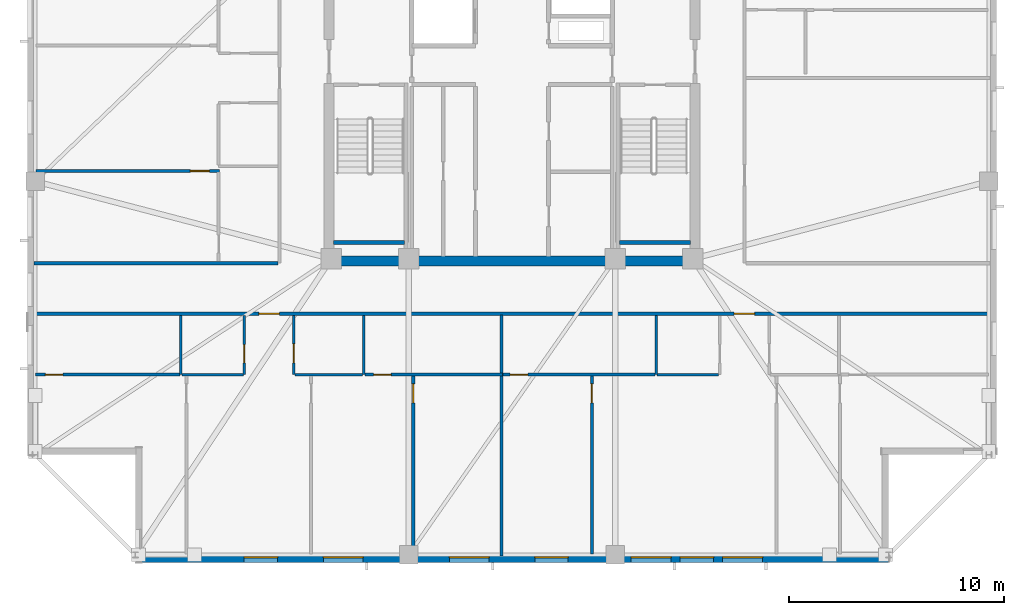
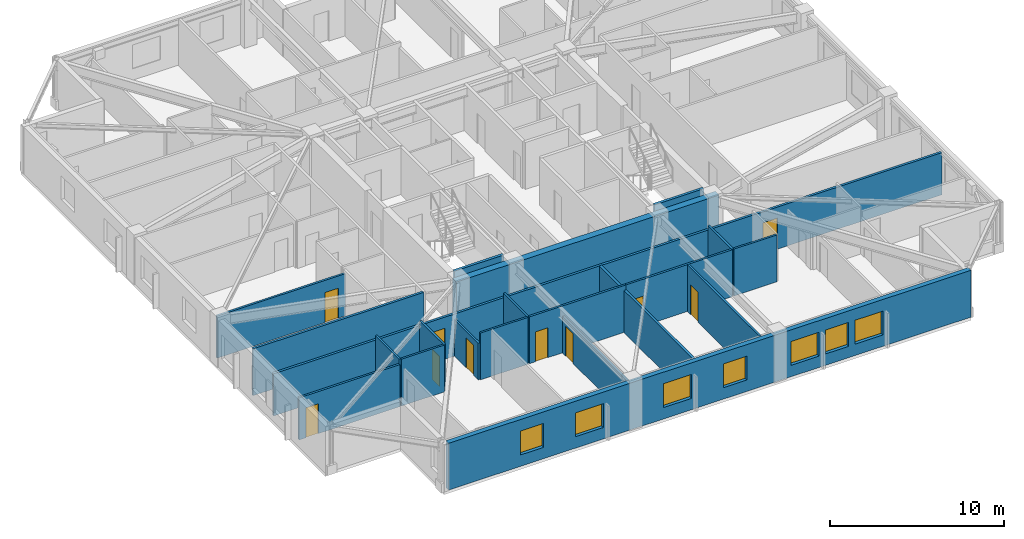
# One storey, part 7 of 17: 21 walls, 10 doors, 7 windows, 17 openings.
"""IFC4 building model written with IfcOpenShell, lengths in metres."""

import ifcopenshell
import ifcopenshell.guid

model = None  # the IFC model being written
_history = None  # IfcOwnerHistory: only IFC2X3 demands one
_inside = {}  # id of a spatial element -> (the spatial element, [elements in it])
_under = {}  # id of a project, library or spatial element -> (it, [spatial elements below it])
_declared = {}  # id of a project -> (the project, [libraries it declares])
_typed = {}  # id of a type object -> (the type object, [elements of that type])
_made_of = {}  # id of a material, layer set ... -> (it, [elements and type objects made of it])


def new_model(schema):
    """Start an empty IFC model of exactly this schema.

    Asked for "IFC4X3", IfcOpenShell would pick the latest addendum, in which some entities
    have other attributes; the version numbers below select the first issue.
    IFC2X3 requires an IfcOwnerHistory on every rooted entity: one is made here for all.
    """
    global model, _history
    if schema == "IFC4X3":
        model = ifcopenshell.file(schema_version=(4, 3, 0, 0))
    else:
        model = ifcopenshell.file(schema=schema)
    _inside.clear()
    _under.clear()
    _declared.clear()
    _typed.clear()
    _made_of.clear()
    _history = None
    if model.schema == "IFC2X3":
        org = make("IfcOrganization", Name="unknown")
        user = make(
            "IfcPersonAndOrganization",
            ThePerson=make("IfcPerson", FamilyName="unknown"),
            TheOrganization=org,
        )
        app = make(
            "IfcApplication",
            ApplicationDeveloper=org,
            Version="unknown",
            ApplicationFullName="unknown",
            ApplicationIdentifier="unknown",
        )
        _history = make(
            "IfcOwnerHistory",
            OwningUser=user,
            OwningApplication=app,
            ChangeAction="ADDED",
            CreationDate=0,
        )
    return model


def make(cls, **values):
    """One entity of the class cls with the attributes given. An attribute that is None is left unset."""
    return model.create_entity(
        cls, **{name: value for name, value in values.items() if value is not None}
    )


def rooted(cls, **values):
    """An entity with a GlobalId (a new one), such as an element, a storey or a relation."""
    return make(cls, GlobalId=ifcopenshell.guid.new(), OwnerHistory=_history, **values)


def si_unit(unit_type, name, prefix=None):
    """IfcSIUnit, for example si_unit("LENGTHUNIT", "METRE", prefix="MILLI")."""
    return make("IfcSIUnit", UnitType=unit_type, Prefix=prefix, Name=name)


def assignment(units):
    """IfcUnitAssignment: the units of a project."""
    return None if units is None else make("IfcUnitAssignment", Units=units)


def point(xyz):
    """IfcCartesianPoint."""
    return None if xyz is None else make("IfcCartesianPoint", Coordinates=xyz)


def direction(xyz):
    """IfcDirection."""
    return None if xyz is None else make("IfcDirection", DirectionRatios=xyz)


def frame(location, z_axis=None, x_axis=None):
    """IfcAxis2Placement3D, a coordinate frame: its origin and axes. An axis left out is left unset."""
    return make(
        "IfcAxis2Placement3D",
        Location=point(location),
        Axis=direction(z_axis),
        RefDirection=direction(x_axis),
    )


def frame_2d(location, x_axis=None):
    """IfcAxis2Placement2D, a coordinate frame in the plane: its origin and x axis."""
    return make(
        "IfcAxis2Placement2D", Location=point(location), RefDirection=direction(x_axis)
    )


def origin():
    """The frame at (0, 0, 0) with its axes left unset."""
    return frame((0.0, 0.0, 0.0))


def place(relative_to, where):
    """IfcLocalPlacement: puts the frame where relative to a parent placement (None: the world)."""
    return make(
        "IfcLocalPlacement", PlacementRelTo=relative_to, RelativePlacement=where
    )


def context(
    kind, dimensions, precision=None, world=None, true_north=None, identifier=None
):
    """IfcGeometricRepresentationContext, for example the 3D "Model" context."""
    return make(
        "IfcGeometricRepresentationContext",
        ContextIdentifier=identifier,
        ContextType=kind,
        CoordinateSpaceDimension=dimensions,
        Precision=precision,
        WorldCoordinateSystem=world,
        TrueNorth=true_north,
    )


def subcontext(parent, identifier, kind, view, scale=None):
    """IfcGeometricRepresentationSubContext, for example "Body" below "Model"."""
    return make(
        "IfcGeometricRepresentationSubContext",
        ContextIdentifier=identifier,
        ContextType=kind,
        ParentContext=parent,
        TargetScale=scale,
        TargetView=view,
    )


def project(units=None, contexts=None):
    """IfcProject with its units and contexts."""
    return rooted(
        "IfcProject",
        Name="project",
        RepresentationContexts=contexts,
        UnitsInContext=assignment(units),
    )


def spatial(cls, under=None, at=None, **own):
    """A site, building, storey or space (cls), placed at a placement, below another one or the project."""
    s = rooted(cls, ObjectPlacement=at, **own)
    if under is not None:
        _under.setdefault(under.id(), (under, []))[1].append(s)
    return s


def profile(cls, at=None, kind="AREA", **sizes):
    """A parametric profile (cls). Its sizes go by their IFC names, for example OverallWidth=200.0."""
    return make(cls, ProfileType=kind, Position=at, **sizes)


def rectangle(**sizes):
    """IfcRectangleProfileDef."""
    return profile("IfcRectangleProfileDef", **sizes)


def extrude(swept, where, along, depth):
    """IfcExtrudedAreaSolid: the profile swept, set in the frame where, extruded along a direction by depth."""
    return make(
        "IfcExtrudedAreaSolid",
        SweptArea=swept,
        Position=where,
        ExtrudedDirection=direction(along),
        Depth=depth,
    )


def shape(context_of_items, identifier, shape_type, items):
    """IfcShapeRepresentation: the items that make up one representation, for example the "Body"."""
    return make(
        "IfcShapeRepresentation",
        ContextOfItems=context_of_items,
        RepresentationIdentifier=identifier,
        RepresentationType=shape_type,
        Items=items,
    )


def material(Name=None, Category=None):
    """IfcMaterial."""
    return make("IfcMaterial", Name=Name, Category=Category)


def layer(
    of_material, thickness, ventilated=None, Name=None, Category=None, Priority=None
):
    """IfcMaterialLayer: one layer of a wall or slab, of a material (None: an air gap)."""
    return make(
        "IfcMaterialLayer",
        Material=of_material,
        LayerThickness=thickness,
        IsVentilated=ventilated,
        Name=Name,
        Category=Category,
        Priority=Priority,
    )


def layer_set(layers, Name=None):
    """IfcMaterialLayerSet."""
    return make("IfcMaterialLayerSet", MaterialLayers=layers, LayerSetName=Name)


def made_of(thing, what):
    """Note that an element or type object is made of a material, layer set ...; save() writes the relation."""
    if what is not None:
        _made_of.setdefault(what.id(), (what, []))[1].append(thing)
    return thing


def type_object(cls, material=None, **own):
    """A type object (cls), such as IfcWallType, which elements share."""
    return made_of(rooted(cls, **own), material)


def element(
    cls,
    number,
    at=None,
    inside=None,
    cuts=None,
    type_object=None,
    material=None,
    context=None,
    identifier="Body",
    shape_type=None,
    held_by="IfcProductDefinitionShape",
    body=None,
    shapes=None,
    **own,
):
    """One element of the class cls, such as IfcWall. Its Tag is "e" and its number.

    at: its placement. inside: the storey or other place that contains it. cuts: it is an
    opening in that element (IfcRelVoidsElement). A single representation is given by context,
    identifier, shape_type and body (its items); several are given by shapes. held_by: the class
    of the entity that holds the representations. save() writes the other relations.
    """
    e = rooted(cls, Tag="e%d" % number, ObjectPlacement=at, **own)
    if body is not None:
        shapes = [shape(context, identifier, shape_type, body)]
    if shapes is not None:
        e.Representation = make(held_by, Representations=shapes)
    if inside is not None:
        _inside.setdefault(inside.id(), (inside, []))[1].append(e)
    if cuts is not None:
        rooted(
            "IfcRelVoidsElement", RelatingBuildingElement=cuts, RelatedOpeningElement=e
        )
    if type_object is not None:
        _typed.setdefault(type_object.id(), (type_object, []))[1].append(e)
    return made_of(e, material)


def fill(opening, filler):
    """IfcRelFillsElement: the door or window that sits in an opening."""
    return rooted(
        "IfcRelFillsElement",
        RelatingOpeningElement=opening,
        RelatedBuildingElement=filler,
    )


def aggregate(whole, parts):
    """IfcRelAggregates: a whole, such as a stair, and the parts it consists of."""
    return rooted("IfcRelAggregates", RelatingObject=whole, RelatedObjects=parts)


def save(model, path):
    """Write the relations noted so far, then the file.

    IfcRelAggregates (storeys below a building ...), IfcRelContainedInSpatialStructure (elements
    in a storey), IfcRelDefinesByType, IfcRelAssociatesMaterial and IfcRelDeclares: one each for
    every whole, place, type object, material and project.
    """
    for whole, parts in _under.values():
        aggregate(whole, parts)
    for where, things in _inside.values():
        rooted(
            "IfcRelContainedInSpatialStructure",
            RelatedElements=things,
            RelatingStructure=where,
        )
    for kind, things in _typed.values():
        rooted("IfcRelDefinesByType", RelatedObjects=things, RelatingType=kind)
    for what, things in _made_of.values():
        rooted("IfcRelAssociatesMaterial", RelatedObjects=things, RelatingMaterial=what)
    for by, libraries in _declared.values():
        rooted("IfcRelDeclares", RelatingContext=by, RelatedDefinitions=libraries)
    model.write(path)


model = new_model("IFC4")

# Units and contexts
model_context = context("Model", 3, precision=1e-05, world=origin(), true_north=direction((0.0, 1.0)))
body_context = subcontext(model_context, "Body", "Model", "MODEL_VIEW")
ifc_project = project(units=[si_unit("LENGTHUNIT", "METRE"), si_unit("AREAUNIT", "SQUARE_METRE"), si_unit("VOLUMEUNIT", "CUBIC_METRE"), si_unit("PLANEANGLEUNIT", "RADIAN"), si_unit("MASSUNIT", "GRAM", prefix="KILO")], contexts=[model_context])

# Site, building, storey
site_placement = place(None, origin())
site = spatial("IfcSite", under=ifc_project, at=site_placement, CompositionType="ELEMENT")
building_placement = place(site_placement, origin())
building = spatial("IfcBuilding", under=site, at=building_placement, Name="Cairnveth Concourse Tower", CompositionType="ELEMENT")
storey_placement = place(building_placement, frame((0.0, 0.0, 209.5)))
storey = spatial("IfcBuildingStorey", under=building, at=storey_placement, Name="L57", CompositionType="ELEMENT", Elevation=209.5)

# Wall, openings, doors
ifc_material_1 = material(Name="Gypsum Plasterboard Partition", Category="gypsum")
ifc_layer_1 = layer(ifc_material_1, 0.159912109375)
ifc_layer_set_1 = layer_set([ifc_layer_1], Name="Gypsum Plasterboard Partition")
wall_type_1 = type_object("IfcWallType", Name="ACOUSTIC PARTY WALL 180", PredefinedType="PARTITIONING", material=ifc_layer_set_1)
wall_1_placement = place(storey_placement, frame((29.804931640625, 28.050048828125, 0.0), z_axis=(0.0, 0.0, 1.0), x_axis=(1.0, 0.0, 0.0)))
wall_1 = element("IfcWall", 1, at=wall_1_placement, inside=storey, type_object=wall_type_1, Name="Interior Wall IW-L57-035", PredefinedType="PARTITIONING", context=body_context, shape_type="SweptSolid", body=[
    extrude(rectangle(XDim=44.39013671875, YDim=0.159912109375, at=frame_2d((22.195068359375, 0.0))), origin(), (0.0, 0.0, 1.0), 2.9580078125),
])
opening_1_placement = place(wall_1_placement, frame((10.43115234375, 0.0, 0.0)))
opening_1 = element("IfcOpeningElement", 2, at=opening_1_placement, cuts=wall_1, Name="Opening ID10", PredefinedType="OPENING", context=body_context, shape_type="SweptSolid", body=[
    extrude(rectangle(XDim=0.9599609375, YDim=2.179931640625, at=frame_2d((0.47998046875, 1.08984375))), frame((0.0, 0.08984375, 0.0), z_axis=(0.0, -1.0, 0.0), x_axis=(1.0, 0.0, 0.0)), (0.0, 0.0, 1.0), 0.179931640625),
])
opening_2_placement = place(wall_1_placement, frame((32.51123046875, 0.0, 0.0)))
opening_2 = element("IfcOpeningElement", 3, at=opening_2_placement, cuts=wall_1, Name="Opening ID10", PredefinedType="OPENING", context=body_context, shape_type="SweptSolid", body=[
    extrude(rectangle(XDim=0.9599609375, YDim=2.179931640625, at=frame_2d((0.47998046875, 1.08984375))), frame((0.0, 0.08984375, 0.0), z_axis=(0.0, -1.0, 0.0), x_axis=(1.0, 0.0, 0.0)), (0.0, 0.0, 1.0), 0.179931640625),
])
ifc_material_2 = material(Name="Solid Core Hardwood Timber Leaf", Category="wood")
door_type_1 = type_object("IfcDoorType", Name="FLAT ENTRANCE DOOR 960X2150", OperationType="NOTDEFINED", PredefinedType="DOOR", material=ifc_material_2)
door_1_placement = place(opening_1_placement, origin())
door_1 = element("IfcDoor", 4, at=door_1_placement, inside=storey, type_object=door_type_1, Name="Apartment L57S1 Entrance Door", OperationType="SINGLE_SWING_LEFT", OverallHeight=2.179931640625, OverallWidth=0.9599609375, PredefinedType="DOOR", context=body_context, shape_type="SweptSolid", body=[
    extrude(rectangle(XDim=0.9599609375, YDim=2.179931640625, at=frame_2d((0.47998046875, 1.08984375))), frame((0.0, 0.02490234375, 0.0), z_axis=(0.0, -1.0, 0.0), x_axis=(1.0, 0.0, 0.0)), (0.0, 0.0, 1.0), 0.050048828125),
])
fill(opening_1, door_1)
door_2_placement = place(opening_2_placement, origin())
door_2 = element("IfcDoor", 5, at=door_2_placement, inside=storey, type_object=door_type_1, Name="Apartment L57S2 Entrance Door", OperationType="SINGLE_SWING_LEFT", OverallHeight=2.179931640625, OverallWidth=0.9599609375, PredefinedType="DOOR", context=body_context, shape_type="SweptSolid", body=[
    extrude(rectangle(XDim=0.9599609375, YDim=2.179931640625, at=frame_2d((0.47998046875, 1.08984375))), frame((0.0, 0.02490234375, 0.0), z_axis=(0.0, -1.0, 0.0), x_axis=(1.0, 0.0, 0.0)), (0.0, 0.0, 1.0), 0.050048828125),
])
fill(opening_2, door_2)

# Walls
wall_2_placement = place(storey_placement, frame((29.804931640625, 30.39990234375, 0.0), z_axis=(0.0, 0.0, 1.0), x_axis=(1.0, 0.0, 0.0)))
element("IfcWall", 6, at=wall_2_placement, inside=storey, type_object=wall_type_1, Name="Interior Wall IW-L57-039", PredefinedType="PARTITIONING", context=body_context, shape_type="SweptSolid", body=[
    extrude(rectangle(XDim=11.330078125, YDim=0.159912109375, at=frame_2d((5.6650390625, 0.0))), origin(), (0.0, 0.0, 1.0), 3.2900390625),
])
wall_3_placement = place(storey_placement, frame((51.512451171875, 16.804931640625, 0.0), z_axis=(0.0, 0.0, 1.0), x_axis=(0.0, 1.0, 0.0)))
element("IfcWall", 7, at=wall_3_placement, inside=storey, type_object=wall_type_1, Name="Interior Wall IW-L57-054", PredefinedType="PARTITIONING", context=body_context, shape_type="SweptSolid", body=[
    extrude(rectangle(XDim=11.18017578125, YDim=0.159912109375, at=frame_2d((5.590087890625, 0.0))), origin(), (0.0, 0.0, 1.0), 2.9580078125),
])
ifc_material_3 = material(Name="Concrete N65 (65 MPa)", Category="concrete")
ifc_layer_2 = layer(ifc_material_3, 0.449951171875)
ifc_layer_set_2 = layer_set([ifc_layer_2], Name="Concrete N65 (65 MPa)")
wall_type_2 = type_object("IfcWallType", Name="CORE SHEAR WALL 450", PredefinedType="SHEAR", material=ifc_layer_set_2)
wall_4_placement = place(storey_placement, frame((43.27490234375, 30.5, 0.0), z_axis=(0.0, 0.0, 1.0), x_axis=(1.0, 0.0, 0.0)))
element("IfcWall", 8, at=wall_4_placement, inside=storey, type_object=wall_type_2, Name="Core South Shear Wall L57", PredefinedType="SHEAR", context=body_context, shape_type="SweptSolid", body=[
    extrude(rectangle(XDim=17.4501953125, YDim=0.449951171875, at=frame_2d((8.72509765625, 0.0))), origin(), (0.0, 0.0, 1.0), 3.2900390625),
])
ifc_material_4 = material(Name="Concrete N50 (50 MPa)", Category="concrete")
ifc_layer_3 = layer(ifc_material_4, 0.179931640625)
ifc_layer_set_3 = layer_set([ifc_layer_3], Name="Concrete N50 (50 MPa)")
wall_type_3 = type_object("IfcWallType", Name="FIRE SHAFT WALL 180", PredefinedType="SOLIDWALL", material=ifc_layer_set_3)
for number, where, z_axis, x_axis, name in (
    (9, (43.715087890625, 31.360107421875, 0.0), (0.0, 0.0, 1.0), (1.0, 0.0, 0.0), "Stair ST-1 Shaft Wall FAR L57"),
    (10, (57.0048828125, 31.360107421875, 0.0), (0.0, 0.0, 1.0), (1.0, 0.0, 0.0), "Stair ST-2 Shaft Wall FAR L57"),
):
    element("IfcWall", number, at=place(storey_placement, frame(where, z_axis=z_axis, x_axis=x_axis)), inside=storey, type_object=wall_type_3, Name=name, PredefinedType="SOLIDWALL", context=body_context, shape_type="SweptSolid", body=[
        extrude(rectangle(XDim=3.280029296875, YDim=0.179931640625, at=frame_2d((1.64013671875, 0.0))), origin(), (0.0, 0.0, 1.0), 3.2900390625),
    ])

# Wall, opening, door
ifc_layer_4 = layer(ifc_material_1, 0.139892578125)
ifc_layer_set_4 = layer_set([ifc_layer_4], Name="Gypsum Plasterboard Partition")
wall_type_4 = type_object("IfcWallType", Name="GYPSUM STUD PARTITION 140", PredefinedType="PARTITIONING", material=ifc_layer_set_4)
wall_5_placement = place(storey_placement, frame((29.8701171875, 25.219970703125, 0.0), z_axis=(0.0, 0.0, 1.0), x_axis=(1.0, 0.0, 0.0)))
wall_5 = element("IfcWall", 11, at=wall_5_placement, inside=storey, type_object=wall_type_4, Name="Interior Wall IW-L57-050", PredefinedType="PARTITIONING", context=body_context, shape_type="SweptSolid", body=[
    extrude(rectangle(XDim=6.6962890625, YDim=0.139892578125, at=frame_2d((3.34814453125, 0.0))), origin(), (0.0, 0.0, 1.0), 2.9580078125),
])
opening_3_placement = place(wall_5_placement, frame((0.449951171875, 0.0, 0.0)))
opening_3 = element("IfcOpeningElement", 12, at=opening_3_placement, cuts=wall_5, Name="Opening ID22", PredefinedType="OPENING", context=body_context, shape_type="SweptSolid", body=[
    extrude(rectangle(XDim=0.820068359375, YDim=2.10009765625, at=frame_2d((0.41015625, 1.050048828125))), frame((0.0, 0.079833984375, 0.0), z_axis=(0.0, -1.0, 0.0), x_axis=(1.0, 0.0, 0.0)), (0.0, 0.0, 1.0), 0.159912109375),
])
door_type_2 = type_object("IfcDoorType", Name="INTERIOR WC DOOR 820X2100", OperationType="NOTDEFINED", PredefinedType="DOOR", material=ifc_material_2)
door_3_placement = place(opening_3_placement, origin())
door_3 = element("IfcDoor", 13, at=door_3_placement, inside=storey, type_object=door_type_2, Name="L57S1 Dressing Door", OperationType="SINGLE_SWING_RIGHT", OverallHeight=2.10009765625, OverallWidth=0.820068359375, PredefinedType="DOOR", context=body_context, shape_type="SweptSolid", body=[
    extrude(rectangle(XDim=0.820068359375, YDim=2.10009765625, at=frame_2d((0.41015625, 1.050048828125))), frame((0.0, 0.02490234375, 0.0), z_axis=(0.0, -1.0, 0.0), x_axis=(1.0, 0.0, 0.0)), (0.0, 0.0, 1.0), 0.050048828125),
])
fill(opening_3, door_3)

wall_6_placement = place(storey_placement, frame((47.41259765625, 16.8798828125, 0.0), z_axis=(0.0, 0.0, 1.0), x_axis=(0.0, 1.0, 0.0)))
wall_6 = element("IfcWall", 14, at=wall_6_placement, inside=storey, type_object=wall_type_4, Name="Interior Wall IW-L57-051", PredefinedType="PARTITIONING", context=body_context, shape_type="SweptSolid", body=[
    extrude(rectangle(XDim=8.380126953125, YDim=0.139892578125, at=frame_2d((4.18994140625, 0.0))), origin(), (0.0, 0.0, 1.0), 2.572998046875),
])
opening_4_placement = place(wall_6_placement, frame((7.030029296875, 0.0, 0.0)))
opening_4 = element("IfcOpeningElement", 15, at=opening_4_placement, cuts=wall_6, Name="Opening ID18", PredefinedType="OPENING", context=body_context, shape_type="SweptSolid", body=[
    extrude(rectangle(XDim=0.8798828125, YDim=2.10009765625, at=frame_2d((0.43994140625, 1.050048828125))), frame((0.0, 0.079833984375, 0.0), z_axis=(0.0, -1.0, 0.0), x_axis=(1.0, 0.0, 0.0)), (0.0, 0.0, 1.0), 0.159912109375),
])
door_type_3 = type_object("IfcDoorType", Name="INTERIOR SINGLE DOOR 880X2100", OperationType="NOTDEFINED", PredefinedType="DOOR", material=ifc_material_2)
door_4_placement = place(opening_4_placement, origin())
door_4 = element("IfcDoor", 16, at=door_4_placement, inside=storey, type_object=door_type_3, Name="L57S1 Bedroom 2 Door", OperationType="SINGLE_SWING_LEFT", OverallHeight=2.10009765625, OverallWidth=0.8798828125, PredefinedType="DOOR", context=body_context, shape_type="SweptSolid", body=[
    extrude(rectangle(XDim=0.8798828125, YDim=2.10009765625, at=frame_2d((0.43994140625, 1.050048828125))), frame((0.0, 0.02490234375, 0.0), z_axis=(0.0, -1.0, 0.0), x_axis=(1.0, 0.0, 0.0)), (0.0, 0.0, 1.0), 0.050048828125),
])
fill(opening_4, door_4)

wall_7_placement = place(storey_placement, frame((45.166259765625, 25.219970703125, 0.0), z_axis=(0.0, 0.0, 1.0), x_axis=(1.0, 0.0, 0.0)))
wall_7 = element("IfcWall", 17, at=wall_7_placement, inside=storey, type_object=wall_type_4, Name="Interior Wall IW-L57-052", PredefinedType="PARTITIONING", context=body_context, shape_type="SweptSolid", body=[
    extrude(rectangle(XDim=6.396240234375, YDim=0.139892578125, at=frame_2d((3.1982421875, 0.0))), origin(), (0.0, 0.0, 1.0), 3.2900390625),
])
opening_5_placement = place(wall_7_placement, frame((0.39990234375, 0.0, 0.0)))
opening_5 = element("IfcOpeningElement", 18, at=opening_5_placement, cuts=wall_7, Name="Opening ID22", PredefinedType="OPENING", context=body_context, shape_type="SweptSolid", body=[
    extrude(rectangle(XDim=0.820068359375, YDim=2.10009765625, at=frame_2d((0.41015625, 1.050048828125))), frame((0.0, 0.079833984375, 0.0), z_axis=(0.0, -1.0, 0.0), x_axis=(1.0, 0.0, 0.0)), (0.0, 0.0, 1.0), 0.159912109375),
])
door_5_placement = place(opening_5_placement, origin())
door_5 = element("IfcDoor", 19, at=door_5_placement, inside=storey, type_object=door_type_2, Name="L57S1 Utility Door", OperationType="SINGLE_SWING_RIGHT", OverallHeight=2.10009765625, OverallWidth=0.820068359375, PredefinedType="DOOR", context=body_context, shape_type="SweptSolid", body=[
    extrude(rectangle(XDim=0.820068359375, YDim=2.10009765625, at=frame_2d((0.41015625, 1.050048828125))), frame((0.0, 0.02490234375, 0.0), z_axis=(0.0, -1.0, 0.0), x_axis=(1.0, 0.0, 0.0)), (0.0, 0.0, 1.0), 0.050048828125),
])
fill(opening_5, door_5)

wall_8_placement = place(storey_placement, frame((55.71240234375, 16.8798828125, 0.0), z_axis=(0.0, 0.0, 1.0), x_axis=(0.0, 1.0, 0.0)))
wall_8 = element("IfcWall", 20, at=wall_8_placement, inside=storey, type_object=wall_type_4, Name="Interior Wall IW-L57-061", PredefinedType="PARTITIONING", context=body_context, shape_type="SweptSolid", body=[
    extrude(rectangle(XDim=8.380126953125, YDim=0.139892578125, at=frame_2d((4.18994140625, 0.0))), origin(), (0.0, 0.0, 1.0), 3.2900390625),
])
opening_6_placement = place(wall_8_placement, frame((7.030029296875, 0.0, 0.0)))
opening_6 = element("IfcOpeningElement", 21, at=opening_6_placement, cuts=wall_8, Name="Opening ID18", PredefinedType="OPENING", context=body_context, shape_type="SweptSolid", body=[
    extrude(rectangle(XDim=0.8798828125, YDim=2.10009765625, at=frame_2d((0.43994140625, 1.050048828125))), frame((0.0, 0.079833984375, 0.0), z_axis=(0.0, -1.0, 0.0), x_axis=(1.0, 0.0, 0.0)), (0.0, 0.0, 1.0), 0.159912109375),
])
door_6_placement = place(opening_6_placement, origin())
door_6 = element("IfcDoor", 22, at=door_6_placement, inside=storey, type_object=door_type_3, Name="L57S2 Master Bedroom Door", OperationType="SINGLE_SWING_LEFT", OverallHeight=2.10009765625, OverallWidth=0.8798828125, PredefinedType="DOOR", context=body_context, shape_type="SweptSolid", body=[
    extrude(rectangle(XDim=0.8798828125, YDim=2.10009765625, at=frame_2d((0.43994140625, 1.050048828125))), frame((0.0, 0.02490234375, 0.0), z_axis=(0.0, -1.0, 0.0), x_axis=(1.0, 0.0, 0.0)), (0.0, 0.0, 1.0), 0.050048828125),
])
fill(opening_6, door_6)

wall_9_placement = place(storey_placement, frame((51.577392578125, 25.219970703125, 0.0), z_axis=(0.0, 0.0, 1.0), x_axis=(1.0, 0.0, 0.0)))
wall_9 = element("IfcWall", 23, at=wall_9_placement, inside=storey, type_object=wall_type_4, Name="Interior Wall IW-L57-062", PredefinedType="PARTITIONING", context=body_context, shape_type="SweptSolid", body=[
    extrude(rectangle(XDim=7.06884765625, YDim=0.139892578125, at=frame_2d((3.534423828125, 0.0))), origin(), (0.0, 0.0, 1.0), 3.2900390625),
])
opening_7_placement = place(wall_9_placement, frame((0.3349609375, 0.0, 0.0)))
opening_7 = element("IfcOpeningElement", 24, at=opening_7_placement, cuts=wall_9, Name="Opening ID22", PredefinedType="OPENING", context=body_context, shape_type="SweptSolid", body=[
    extrude(rectangle(XDim=0.820068359375, YDim=2.10009765625, at=frame_2d((0.41015625, 1.050048828125))), frame((0.0, 0.079833984375, 0.0), z_axis=(0.0, -1.0, 0.0), x_axis=(1.0, 0.0, 0.0)), (0.0, 0.0, 1.0), 0.159912109375),
])
door_7_placement = place(opening_7_placement, origin())
door_7 = element("IfcDoor", 25, at=door_7_placement, inside=storey, type_object=door_type_2, Name="L57S2 Dressing Door", OperationType="SINGLE_SWING_RIGHT", OverallHeight=2.10009765625, OverallWidth=0.820068359375, PredefinedType="DOOR", context=body_context, shape_type="SweptSolid", body=[
    extrude(rectangle(XDim=0.820068359375, YDim=2.10009765625, at=frame_2d((0.41015625, 1.050048828125))), frame((0.0, 0.02490234375, 0.0), z_axis=(0.0, -1.0, 0.0), x_axis=(1.0, 0.0, 0.0)), (0.0, 0.0, 1.0), 0.050048828125),
])
fill(opening_7, door_7)

wall_10_placement = place(storey_placement, frame((29.8798828125, 34.679931640625, 0.0), z_axis=(0.0, 0.0, 1.0), x_axis=(1.0, 0.0, 0.0)))
wall_10 = element("IfcWall", 26, at=wall_10_placement, inside=storey, type_object=wall_type_4, Name="Interior Wall IW-L57-094", PredefinedType="PARTITIONING", context=body_context, shape_type="SweptSolid", body=[
    extrude(rectangle(XDim=8.530029296875, YDim=0.139892578125, at=frame_2d((4.26513671875, 0.0))), origin(), (0.0, 0.0, 1.0), 2.9580078125),
])
opening_8_placement = place(wall_10_placement, frame((7.179931640625, 0.0, 0.0)))
opening_8 = element("IfcOpeningElement", 27, at=opening_8_placement, cuts=wall_10, Name="Opening ID18", PredefinedType="OPENING", context=body_context, shape_type="SweptSolid", body=[
    extrude(rectangle(XDim=0.8798828125, YDim=2.10009765625, at=frame_2d((0.43994140625, 1.050048828125))), frame((0.0, 0.079833984375, 0.0), z_axis=(0.0, -1.0, 0.0), x_axis=(1.0, 0.0, 0.0)), (0.0, 0.0, 1.0), 0.159912109375),
])
door_8_placement = place(opening_8_placement, origin())
door_8 = element("IfcDoor", 28, at=door_8_placement, inside=storey, type_object=door_type_3, Name="L57W1 Master Bedroom Door", OperationType="SINGLE_SWING_RIGHT", OverallHeight=2.10009765625, OverallWidth=0.8798828125, PredefinedType="DOOR", context=body_context, shape_type="SweptSolid", body=[
    extrude(rectangle(XDim=0.8798828125, YDim=2.10009765625, at=frame_2d((0.43994140625, 1.050048828125))), frame((0.0, 0.02490234375, 0.0), z_axis=(0.0, -1.0, 0.0), x_axis=(1.0, 0.0, 0.0)), (0.0, 0.0, 1.0), 0.050048828125),
])
fill(opening_8, door_8)

# Wall
ifc_layer_5 = layer(ifc_material_1, 0.1298828125)
ifc_layer_set_5 = layer_set([ifc_layer_5], Name="Gypsum Plasterboard Partition")
wall_type_5 = type_object("IfcWallType", Name="WET AREA PARTITION 140", PredefinedType="PLUMBINGWALL", material=ifc_layer_set_5)
wall_11_placement = place(storey_placement, frame((36.6162109375, 25.219970703125, 0.0), z_axis=(0.0, 0.0, 1.0), x_axis=(0.0, 1.0, 0.0)))
element("IfcWall", 29, at=wall_11_placement, inside=storey, type_object=wall_type_5, Name="Interior Wall IW-L57-043", PredefinedType="PLUMBINGWALL", context=body_context, shape_type="SweptSolid", body=[
    extrude(rectangle(XDim=2.75, YDim=0.1298828125, at=frame_2d((1.375, 0.0))), origin(), (0.0, 0.0, 1.0), 3.2900390625),
])

# Wall, opening, door
wall_12_placement = place(storey_placement, frame((39.56640625, 25.219970703125, 0.0), z_axis=(0.0, 0.0, 1.0), x_axis=(0.0, 1.0, 0.0)))
wall_12 = element("IfcWall", 30, at=wall_12_placement, inside=storey, type_object=wall_type_5, Name="Interior Wall IW-L57-044", PredefinedType="PLUMBINGWALL", context=body_context, shape_type="SweptSolid", body=[
    extrude(rectangle(XDim=2.75, YDim=0.1298828125, at=frame_2d((1.375, 0.0))), origin(), (0.0, 0.0, 1.0), 3.2900390625),
])
opening_9_placement = place(wall_12_placement, frame((0.550048828125, 0.0, 0.0)))
opening_9 = element("IfcOpeningElement", 31, at=opening_9_placement, cuts=wall_12, Name="Opening ID21", PredefinedType="OPENING", context=body_context, shape_type="SweptSolid", body=[
    extrude(rectangle(XDim=0.85009765625, YDim=2.080078125, at=frame_2d((0.425048828125, 1.0400390625))), frame((0.0, 0.074951171875, 0.0), z_axis=(0.0, -1.0, 0.0), x_axis=(1.0, 0.0, 0.0)), (0.0, 0.0, 1.0), 0.14990234375),
])
door_type_4 = type_object("IfcDoorType", Name="INTERIOR WC DOOR 850X2100", OperationType="NOTDEFINED", PredefinedType="DOOR", material=ifc_material_2)
door_9_placement = place(opening_9_placement, origin())
door_9 = element("IfcDoor", 32, at=door_9_placement, inside=storey, type_object=door_type_4, Name="L57S1 Bathroom Door", OperationType="SINGLE_SWING_RIGHT", OverallHeight=2.080078125, OverallWidth=0.85009765625, PredefinedType="DOOR", context=body_context, shape_type="SweptSolid", body=[
    extrude(rectangle(XDim=0.85009765625, YDim=2.080078125, at=frame_2d((0.425048828125, 1.0400390625))), frame((0.0, 0.02490234375, 0.0), z_axis=(0.0, -1.0, 0.0), x_axis=(1.0, 0.0, 0.0)), (0.0, 0.0, 1.0), 0.050048828125),
])
fill(opening_9, door_9)

# Walls
wall_13_placement = place(storey_placement, frame((36.666259765625, 25.219970703125, 0.0), z_axis=(0.0, 0.0, 1.0), x_axis=(1.0, 0.0, 0.0)))
element("IfcWall", 33, at=wall_13_placement, inside=storey, type_object=wall_type_5, Name="Interior Wall IW-L57-045", PredefinedType="PLUMBINGWALL", context=body_context, shape_type="SweptSolid", body=[
    extrude(rectangle(XDim=2.85009765625, YDim=0.1298828125, at=frame_2d((1.425048828125, 0.0))), origin(), (0.0, 0.0, 1.0), 3.2900390625),
])
wall_14_placement = place(storey_placement, frame((45.1162109375, 25.219970703125, 0.0), z_axis=(0.0, 0.0, 1.0), x_axis=(0.0, 1.0, 0.0)))
element("IfcWall", 34, at=wall_14_placement, inside=storey, type_object=wall_type_5, Name="Interior Wall IW-L57-046", PredefinedType="PLUMBINGWALL", context=body_context, shape_type="SweptSolid", body=[
    extrude(rectangle(XDim=2.75, YDim=0.1298828125, at=frame_2d((1.375, 0.0))), origin(), (0.0, 0.0, 1.0), 3.2900390625),
])

# Wall, opening, door
wall_15_placement = place(storey_placement, frame((41.8662109375, 25.219970703125, 0.0), z_axis=(0.0, 0.0, 1.0), x_axis=(0.0, 1.0, 0.0)))
wall_15 = element("IfcWall", 35, at=wall_15_placement, inside=storey, type_object=wall_type_5, Name="Interior Wall IW-L57-047", PredefinedType="PLUMBINGWALL", context=body_context, shape_type="SweptSolid", body=[
    extrude(rectangle(XDim=2.75, YDim=0.1298828125, at=frame_2d((1.375, 0.0))), origin(), (0.0, 0.0, 1.0), 2.572998046875),
])
opening_10_placement = place(wall_15_placement, frame((0.550048828125, 0.0, 0.0)))
opening_10 = element("IfcOpeningElement", 36, at=opening_10_placement, cuts=wall_15, Name="Opening ID18", PredefinedType="OPENING", context=body_context, shape_type="SweptSolid", body=[
    extrude(rectangle(XDim=0.8798828125, YDim=2.10009765625, at=frame_2d((0.43994140625, 1.050048828125))), frame((0.0, 0.074951171875, 0.0), z_axis=(0.0, -1.0, 0.0), x_axis=(1.0, 0.0, 0.0)), (0.0, 0.0, 1.0), 0.14990234375),
])
door_10_placement = place(opening_10_placement, origin())
door_10 = element("IfcDoor", 37, at=door_10_placement, inside=storey, type_object=door_type_3, Name="L57S1 Kitchen Door", OperationType="SINGLE_SWING_LEFT", OverallHeight=2.10009765625, OverallWidth=0.8798828125, PredefinedType="DOOR", context=body_context, shape_type="SweptSolid", body=[
    extrude(rectangle(XDim=0.8798828125, YDim=2.10009765625, at=frame_2d((0.43994140625, 1.050048828125))), frame((0.0, 0.02490234375, 0.0), z_axis=(0.0, -1.0, 0.0), x_axis=(1.0, 0.0, 0.0)), (0.0, 0.0, 1.0), 0.050048828125),
])
fill(opening_10, door_10)

# Walls
wall_16_placement = place(storey_placement, frame((41.916259765625, 25.219970703125, 0.0), z_axis=(0.0, 0.0, 1.0), x_axis=(1.0, 0.0, 0.0)))
element("IfcWall", 38, at=wall_16_placement, inside=storey, type_object=wall_type_5, Name="Interior Wall IW-L57-048", PredefinedType="PLUMBINGWALL", context=body_context, shape_type="SweptSolid", body=[
    extrude(rectangle(XDim=3.150146484375, YDim=0.1298828125, at=frame_2d((1.5751953125, 0.0))), origin(), (0.0, 0.0, 1.0), 3.2900390625),
])
wall_17_placement = place(storey_placement, frame((58.6962890625, 25.219970703125, 0.0), z_axis=(0.0, 0.0, 1.0), x_axis=(0.0, 1.0, 0.0)))
element("IfcWall", 39, at=wall_17_placement, inside=storey, type_object=wall_type_5, Name="Interior Wall IW-L57-055", PredefinedType="PLUMBINGWALL", context=body_context, shape_type="SweptSolid", body=[
    extrude(rectangle(XDim=2.75, YDim=0.1298828125, at=frame_2d((1.375, 0.0))), origin(), (0.0, 0.0, 1.0), 3.2900390625),
])
wall_18_placement = place(storey_placement, frame((58.746337890625, 25.219970703125, 0.0), z_axis=(0.0, 0.0, 1.0), x_axis=(1.0, 0.0, 0.0)))
element("IfcWall", 40, at=wall_18_placement, inside=storey, type_object=wall_type_5, Name="Interior Wall IW-L57-057", PredefinedType="PLUMBINGWALL", context=body_context, shape_type="SweptSolid", body=[
    extrude(rectangle(XDim=2.849853515625, YDim=0.1298828125, at=frame_2d((1.4248046875, 0.0))), origin(), (0.0, 0.0, 1.0), 3.2900390625),
])

# Wall, openings, windows
ifc_material_5 = material(Name="Melbourne Buff Fired Clay Brick Masonry", Category="masonry")
ifc_layer_6 = layer(ifc_material_5, 0.320068359375)
ifc_layer_set_6 = layer_set([ifc_layer_6], Name="Melbourne Buff Fired Clay Brick Masonry")
wall_type_6 = type_object("IfcWallType", Name="ZONE 3 BRICK PIER SPANDREL WALL 320", PredefinedType="SOLIDWALL", material=ifc_layer_set_6)
wall_19_placement = place(storey_placement, frame((69.5, 16.659912109375, 0.0), z_axis=(0.0, 0.0, 1.0), x_axis=(-1.0, 0.0, 0.0)))
wall_19 = element("IfcWall", 41, at=wall_19_placement, inside=storey, type_object=wall_type_6, Name="Exterior Wall EW-L57-S06", PredefinedType="SOLIDWALL", context=body_context, shape_type="SweptSolid", body=[
    extrude(rectangle(XDim=34.701904296875, YDim=0.320068359375, at=frame_2d((17.35107421875, 0.0))), origin(), (0.0, 0.0, 1.0), 3.2900390625),
])
opening_11_placement = place(wall_19_placement, frame((5.862548828125, 0.0, 0.800048828125)))
opening_11 = element("IfcOpeningElement", 42, at=opening_11_placement, cuts=wall_19, Name="Opening W08", PredefinedType="OPENING", context=body_context, shape_type="SweptSolid", body=[
    extrude(rectangle(XDim=1.85009765625, YDim=1.677978515625, at=frame_2d((0.925048828125, 0.8388671875))), frame((0.0, 0.169921875, 0.0), z_axis=(0.0, -1.0, 0.0), x_axis=(1.0, 0.0, 0.0)), (0.0, 0.0, 1.0), 0.340087890625),
])
opening_12_placement = place(wall_19_placement, frame((8.137939453125, 0.0, 0.800048828125)))
opening_12 = element("IfcOpeningElement", 43, at=opening_12_placement, cuts=wall_19, Name="Opening W07", PredefinedType="OPENING", context=body_context, shape_type="SweptSolid", body=[
    extrude(rectangle(XDim=1.550048828125, YDim=1.677978515625, at=frame_2d((0.77490234375, 0.8388671875))), frame((0.0, 0.169921875, 0.0), z_axis=(0.0, -1.0, 0.0), x_axis=(1.0, 0.0, 0.0)), (0.0, 0.0, 1.0), 0.340087890625),
])
opening_13_placement = place(wall_19_placement, frame((10.113037109375, 0.0, 0.800048828125)))
opening_13 = element("IfcOpeningElement", 44, at=opening_13_placement, cuts=wall_19, Name="Opening W08", PredefinedType="OPENING", context=body_context, shape_type="SweptSolid", body=[
    extrude(rectangle(XDim=1.85009765625, YDim=1.677978515625, at=frame_2d((0.925048828125, 0.8388671875))), frame((0.0, 0.169921875, 0.0), z_axis=(0.0, -1.0, 0.0), x_axis=(1.0, 0.0, 0.0)), (0.0, 0.0, 1.0), 0.340087890625),
])
opening_14_placement = place(wall_19_placement, frame((14.888427734375, 0.0, 0.800048828125)))
opening_14 = element("IfcOpeningElement", 45, at=opening_14_placement, cuts=wall_19, Name="Opening W07", PredefinedType="OPENING", context=body_context, shape_type="SweptSolid", body=[
    extrude(rectangle(XDim=1.550048828125, YDim=1.677978515625, at=frame_2d((0.77490234375, 0.8388671875))), frame((0.0, 0.169921875, 0.0), z_axis=(0.0, -1.0, 0.0), x_axis=(1.0, 0.0, 0.0)), (0.0, 0.0, 1.0), 0.340087890625),
])
opening_15_placement = place(wall_19_placement, frame((18.563720703125, 0.0, 0.800048828125)))
opening_15 = element("IfcOpeningElement", 46, at=opening_15_placement, cuts=wall_19, Name="Opening W08", PredefinedType="OPENING", context=body_context, shape_type="SweptSolid", body=[
    extrude(rectangle(XDim=1.85009765625, YDim=1.677978515625, at=frame_2d((0.925048828125, 0.8388671875))), frame((0.0, 0.169921875, 0.0), z_axis=(0.0, -1.0, 0.0), x_axis=(1.0, 0.0, 0.0)), (0.0, 0.0, 1.0), 0.340087890625),
])
opening_16_placement = place(wall_19_placement, frame((24.4140625, 0.0, 0.800048828125)))
opening_16 = element("IfcOpeningElement", 47, at=opening_16_placement, cuts=wall_19, Name="Opening W08", PredefinedType="OPENING", context=body_context, shape_type="SweptSolid", body=[
    extrude(rectangle(XDim=1.85009765625, YDim=1.677978515625, at=frame_2d((0.925048828125, 0.8388671875))), frame((0.0, 0.169921875, 0.0), z_axis=(0.0, -1.0, 0.0), x_axis=(1.0, 0.0, 0.0)), (0.0, 0.0, 1.0), 0.340087890625),
])
opening_17_placement = place(wall_19_placement, frame((28.389404296875, 0.0, 0.800048828125)))
opening_17 = element("IfcOpeningElement", 48, at=opening_17_placement, cuts=wall_19, Name="Opening W07", PredefinedType="OPENING", context=body_context, shape_type="SweptSolid", body=[
    extrude(rectangle(XDim=1.550048828125, YDim=1.677978515625, at=frame_2d((0.77490234375, 0.8388671875))), frame((0.0, 0.169921875, 0.0), z_axis=(0.0, -1.0, 0.0), x_axis=(1.0, 0.0, 0.0)), (0.0, 0.0, 1.0), 0.340087890625),
])
ifc_material_6 = material(Name="Double Glazed Low-E Clear Glass", Category="glass")
window_type_1 = type_object("IfcWindowType", Name="DEEP-SET APARTMENT LIVING WINDOW 1850X1850", PartitioningType="DOUBLE_PANEL_VERTICAL", PredefinedType="WINDOW", material=ifc_material_6)
window_1_placement = place(opening_11_placement, origin())
window_1 = element("IfcWindow", 49, at=window_1_placement, inside=storey, type_object=window_type_1, Name="Gothic Lancet Window L57-6-1", OverallHeight=1.677978515625, OverallWidth=1.85009765625, PartitioningType="SINGLE_PANEL", PredefinedType="WINDOW", context=body_context, shape_type="SweptSolid", body=[
    extrude(rectangle(XDim=1.85009765625, YDim=1.677978515625, at=frame_2d((0.925048828125, 0.8388671875))), frame((0.0, -0.050048828125, 0.0), z_axis=(0.0, -1.0, 0.0), x_axis=(1.0, 0.0, 0.0)), (0.0, 0.0, 1.0), 0.06005859375),
])
fill(opening_11, window_1)
window_2_placement = place(opening_13_placement, origin())
window_2 = element("IfcWindow", 50, at=window_2_placement, inside=storey, type_object=window_type_1, Name="Gothic Lancet Window L57-6-3", OverallHeight=1.677978515625, OverallWidth=1.85009765625, PartitioningType="SINGLE_PANEL", PredefinedType="WINDOW", context=body_context, shape_type="SweptSolid", body=[
    extrude(rectangle(XDim=1.85009765625, YDim=1.677978515625, at=frame_2d((0.925048828125, 0.8388671875))), frame((0.0, -0.050048828125, 0.0), z_axis=(0.0, -1.0, 0.0), x_axis=(1.0, 0.0, 0.0)), (0.0, 0.0, 1.0), 0.06005859375),
])
fill(opening_13, window_2)
window_3_placement = place(opening_15_placement, origin())
window_3 = element("IfcWindow", 51, at=window_3_placement, inside=storey, type_object=window_type_1, Name="Gothic Lancet Window L57-6-5", OverallHeight=1.677978515625, OverallWidth=1.85009765625, PartitioningType="SINGLE_PANEL", PredefinedType="WINDOW", context=body_context, shape_type="SweptSolid", body=[
    extrude(rectangle(XDim=1.85009765625, YDim=1.677978515625, at=frame_2d((0.925048828125, 0.8388671875))), frame((0.0, -0.050048828125, 0.0), z_axis=(0.0, -1.0, 0.0), x_axis=(1.0, 0.0, 0.0)), (0.0, 0.0, 1.0), 0.06005859375),
])
fill(opening_15, window_3)
window_4_placement = place(opening_16_placement, origin())
window_4 = element("IfcWindow", 52, at=window_4_placement, inside=storey, type_object=window_type_1, Name="Gothic Lancet Window L57-6-7", OverallHeight=1.677978515625, OverallWidth=1.85009765625, PartitioningType="SINGLE_PANEL", PredefinedType="WINDOW", context=body_context, shape_type="SweptSolid", body=[
    extrude(rectangle(XDim=1.85009765625, YDim=1.677978515625, at=frame_2d((0.925048828125, 0.8388671875))), frame((0.0, -0.050048828125, 0.0), z_axis=(0.0, -1.0, 0.0), x_axis=(1.0, 0.0, 0.0)), (0.0, 0.0, 1.0), 0.06005859375),
])
fill(opening_16, window_4)
window_type_2 = type_object("IfcWindowType", Name="DEEP-SET APARTMENT WINDOW 1550X1800", PartitioningType="DOUBLE_PANEL_VERTICAL", PredefinedType="WINDOW", material=ifc_material_6)
window_5_placement = place(opening_12_placement, origin())
window_5 = element("IfcWindow", 53, at=window_5_placement, inside=storey, type_object=window_type_2, Name="Gothic Lancet Window L57-6-2", OverallHeight=1.677978515625, OverallWidth=1.550048828125, PartitioningType="SINGLE_PANEL", PredefinedType="WINDOW", context=body_context, shape_type="SweptSolid", body=[
    extrude(rectangle(XDim=1.550048828125, YDim=1.677978515625, at=frame_2d((0.77490234375, 0.8388671875))), frame((0.0, -0.050048828125, 0.0), z_axis=(0.0, -1.0, 0.0), x_axis=(1.0, 0.0, 0.0)), (0.0, 0.0, 1.0), 0.06005859375),
])
fill(opening_12, window_5)
window_6_placement = place(opening_14_placement, origin())
window_6 = element("IfcWindow", 54, at=window_6_placement, inside=storey, type_object=window_type_2, Name="Gothic Lancet Window L57-6-4", OverallHeight=1.677978515625, OverallWidth=1.550048828125, PartitioningType="SINGLE_PANEL", PredefinedType="WINDOW", context=body_context, shape_type="SweptSolid", body=[
    extrude(rectangle(XDim=1.550048828125, YDim=1.677978515625, at=frame_2d((0.77490234375, 0.8388671875))), frame((0.0, -0.050048828125, 0.0), z_axis=(0.0, -1.0, 0.0), x_axis=(1.0, 0.0, 0.0)), (0.0, 0.0, 1.0), 0.06005859375),
])
fill(opening_14, window_6)
window_7_placement = place(opening_17_placement, origin())
window_7 = element("IfcWindow", 55, at=window_7_placement, inside=storey, type_object=window_type_2, Name="Gothic Lancet Window L57-6-8", OverallHeight=1.677978515625, OverallWidth=1.550048828125, PartitioningType="SINGLE_PANEL", PredefinedType="WINDOW", context=body_context, shape_type="SweptSolid", body=[
    extrude(rectangle(XDim=1.550048828125, YDim=1.677978515625, at=frame_2d((0.77490234375, 0.8388671875))), frame((0.0, -0.050048828125, 0.0), z_axis=(0.0, -1.0, 0.0), x_axis=(1.0, 0.0, 0.0)), (0.0, 0.0, 1.0), 0.06005859375),
])
fill(opening_17, window_7)

save(model, "model.ifc")
